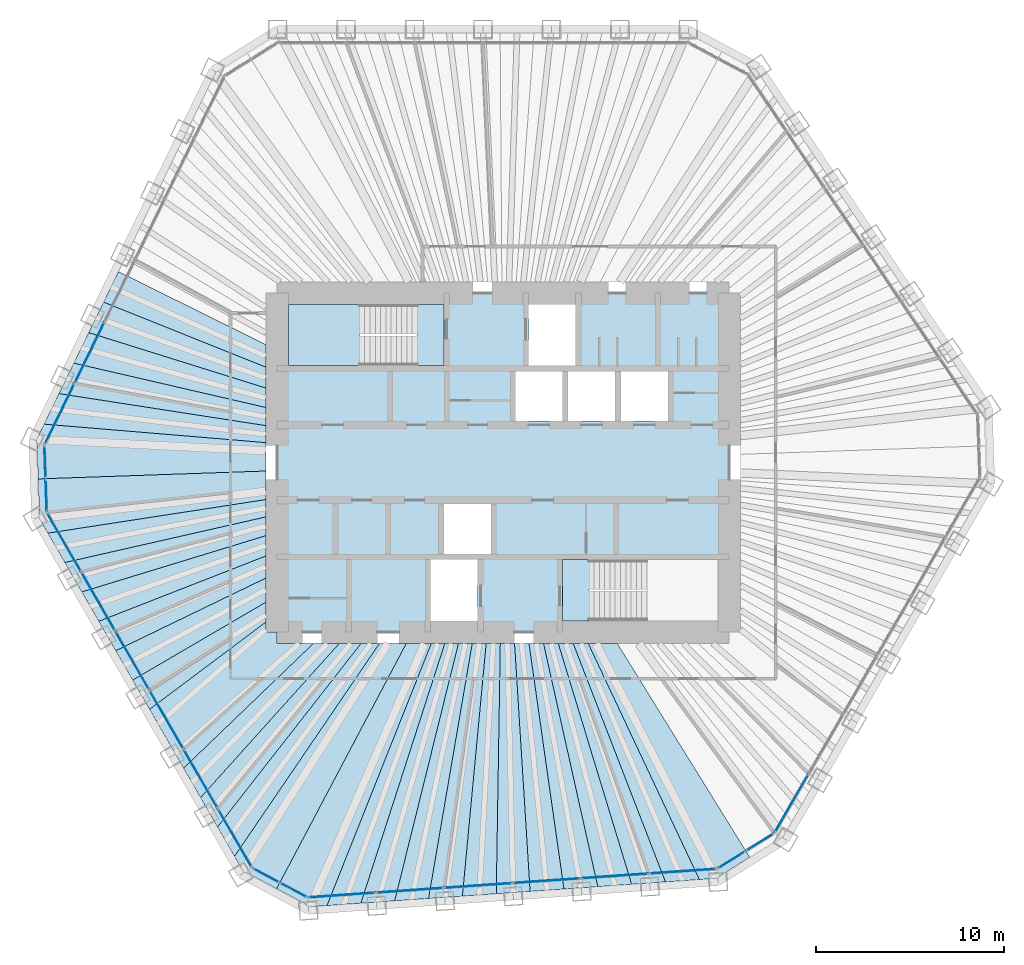
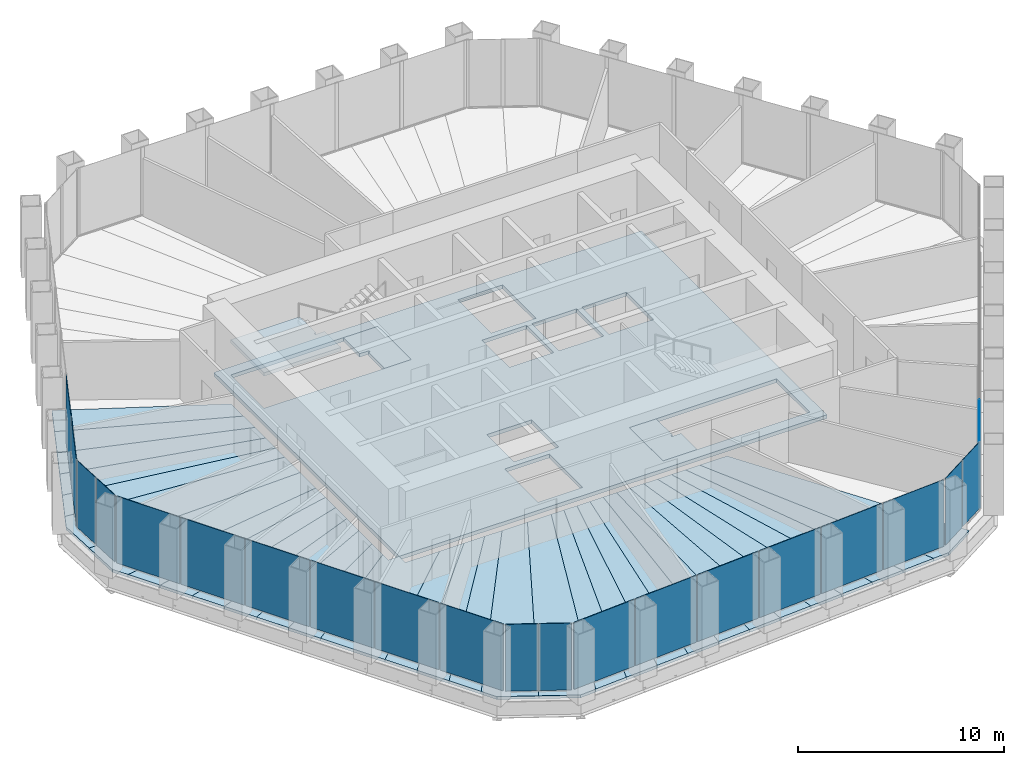
# One storey, part 8 of 14: 35 slabs, 21 plates, 9 elements without a shape of their own.
"""IFC4 building model written with IfcOpenShell, lengths in metres."""

from ifc_helpers import new_model, si_unit, direction, frame, origin, origin_2d, place, context, subcontext, project, spatial, polyline, rectangle, outline, extrude, material, layer, layer_set, type_object, element, aggregate, save


model = new_model("IFC4")

# Units and contexts
model_context = context("Model", 3, precision=1e-05, world=origin(), true_north=direction((0.0, 1.0)))
body_context = subcontext(model_context, "Body", "Model", "MODEL_VIEW")
ifc_project = project(units=[si_unit("LENGTHUNIT", "METRE"), si_unit("AREAUNIT", "SQUARE_METRE"), si_unit("VOLUMEUNIT", "CUBIC_METRE"), si_unit("PLANEANGLEUNIT", "RADIAN"), si_unit("MASSUNIT", "GRAM", prefix="KILO")], contexts=[model_context])

# Site, building, storey
site_placement = place(None, origin())
site = spatial("IfcSite", under=ifc_project, at=site_placement, CompositionType="ELEMENT")
building_placement = place(site_placement, origin())
building = spatial("IfcBuilding", under=site, at=building_placement, Name="Qingtian Harvest Tower", CompositionType="ELEMENT")
storey_placement = place(building_placement, frame((0.0, 0.0, 235.0)))
storey = spatial("IfcBuildingStorey", under=building, at=storey_placement, Name="L51", CompositionType="ELEMENT", Elevation=235.0)

# Slabs
ifc_material_1 = material(Name="Concrete fc' 35 MPa", Category="concrete")
ifc_layer_1 = layer(ifc_material_1, 0.169921875)
ifc_layer_set_1 = layer_set([ifc_layer_1], Name="Composite floor slab FS17 170")
slab_type_1 = type_object("IfcSlabType", Name="Composite floor slab FS17 170", PredefinedType="FLOOR", material=ifc_layer_set_1)
slab_1_placement = place(storey_placement, frame((0.0, 0.0, -0.169921875)))
element("IfcSlab", 1, at=slab_1_placement, inside=storey, type_object=slab_type_1, Name="Floor slab L51 panel D01", PredefinedType="FLOOR", context=body_context, shape_type="SweptSolid", body=[
    extrude(outline(polyline([(-24.6865234375, -0.862060546875), (-12.60009765625, -0.443115234375), (-12.60009765625, -1.958984375), (-24.17236328125, -3.742431640625), (-24.612548828125, -2.979736328125), (-24.6865234375, -0.862060546875)])), origin(), (0.0, 0.0, 1.0), 0.169921875),
])
slab_2_placement = place(storey_placement, frame((0.0, 0.0, -0.169921875)))
element("IfcSlab", 2, at=slab_2_placement, inside=storey, type_object=slab_type_1, Name="Floor slab L51 panel D02", PredefinedType="FLOOR", context=body_context, shape_type="SweptSolid", body=[
    extrude(outline(polyline([(-12.60009765625, -2.880126953125), (-23.271484375, -5.302490234375), (-24.17236328125, -3.742431640625), (-12.60009765625, -1.958984375), (-12.60009765625, -2.880126953125)])), origin(), (0.0, 0.0, 1.0), 0.169921875),
])
slab_3_placement = place(storey_placement, frame((0.0, 0.0, -0.169921875)))
element("IfcSlab", 3, at=slab_3_placement, inside=storey, type_object=slab_type_1, Name="Floor slab L51 panel D03", PredefinedType="FLOOR", context=body_context, shape_type="SweptSolid", body=[
    extrude(outline(polyline([(-12.60009765625, -3.87548828125), (-22.370849609375, -6.862548828125), (-23.271484375, -5.302490234375), (-12.60009765625, -2.880126953125), (-12.60009765625, -3.87548828125)])), origin(), (0.0, 0.0, 1.0), 0.169921875),
])
slab_4_placement = place(storey_placement, frame((0.0, 0.0, -0.169921875)))
element("IfcSlab", 4, at=slab_4_placement, inside=storey, type_object=slab_type_1, Name="Floor slab L51 panel D04", PredefinedType="FLOOR", context=body_context, shape_type="SweptSolid", body=[
    extrude(outline(polyline([(-12.60009765625, -4.95458984375), (-21.47021484375, -8.422607421875), (-22.370849609375, -6.862548828125), (-12.60009765625, -3.87548828125), (-12.60009765625, -4.95458984375)])), origin(), (0.0, 0.0, 1.0), 0.169921875),
])
slab_5_placement = place(storey_placement, frame((0.0, 0.0, -0.169921875)))
element("IfcSlab", 5, at=slab_5_placement, inside=storey, type_object=slab_type_1, Name="Floor slab L51 panel D05", PredefinedType="FLOOR", context=body_context, shape_type="SweptSolid", body=[
    extrude(outline(polyline([(-12.60009765625, -6.128173828125), (-20.569580078125, -9.982666015625), (-21.47021484375, -8.422607421875), (-12.60009765625, -4.95458984375), (-12.60009765625, -6.128173828125)])), origin(), (0.0, 0.0, 1.0), 0.169921875),
])
slab_6_placement = place(storey_placement, frame((0.0, 0.0, -0.169921875)))
element("IfcSlab", 6, at=slab_6_placement, inside=storey, type_object=slab_type_1, Name="Floor slab L51 panel D06", PredefinedType="FLOOR", context=body_context, shape_type="SweptSolid", body=[
    extrude(outline(polyline([(-12.60009765625, -7.409423828125), (-19.668701171875, -11.542724609375), (-20.569580078125, -9.982666015625), (-12.60009765625, -6.128173828125), (-12.60009765625, -7.409423828125)])), origin(), (0.0, 0.0, 1.0), 0.169921875),
])
slab_7_placement = place(storey_placement, frame((0.0, 0.0, -0.169921875)))
element("IfcSlab", 7, at=slab_7_placement, inside=storey, type_object=slab_type_1, Name="Floor slab L51 panel D07", PredefinedType="FLOOR", context=body_context, shape_type="SweptSolid", body=[
    extrude(outline(polyline([(-12.60009765625, -8.46435546875), (-18.771728515625, -13.0966796875), (-19.668701171875, -11.542724609375), (-12.60009765625, -7.409423828125), (-12.60009765625, -8.46435546875)])), origin(), (0.0, 0.0, 1.0), 0.169921875),
])
slab_8_placement = place(storey_placement, frame((0.0, 0.0, -0.169921875)))
element("IfcSlab", 8, at=slab_8_placement, inside=storey, type_object=slab_type_1, Name="Floor slab L51 panel D09", PredefinedType="FLOOR", context=body_context, shape_type="SweptSolid", body=[
    extrude(outline(polyline([(-16.967041015625, -16.22216796875), (-18.771728515625, -13.0966796875), (-12.60009765625, -8.46435546875), (-12.60009765625, -9.0), (-12.0, -9.0), (-12.0, -9.60009765625), (-10.07666015625, -9.60009765625), (-16.967041015625, -16.22216796875)])), origin(), (0.0, 0.0, 1.0), 0.169921875),
])
slab_9_placement = place(storey_placement, frame((0.0, 0.0, -0.169921875)))
element("IfcSlab", 9, at=slab_9_placement, inside=storey, type_object=slab_type_1, Name="Floor slab L51 panel D10", PredefinedType="FLOOR", context=body_context, shape_type="SweptSolid", body=[
    extrude(outline(polyline([(-8.700927734375, -9.60009765625), (-16.06640625, -17.7822265625), (-16.967041015625, -16.22216796875), (-10.07666015625, -9.60009765625), (-8.700927734375, -9.60009765625)])), origin(), (0.0, 0.0, 1.0), 0.169921875),
])
slab_10_placement = place(storey_placement, frame((0.0, 0.0, -0.169921875)))
element("IfcSlab", 10, at=slab_10_placement, inside=storey, type_object=slab_type_1, Name="Floor slab L51 panel D11", PredefinedType="FLOOR", context=body_context, shape_type="SweptSolid", body=[
    extrude(outline(polyline([(-7.548095703125, -9.60009765625), (-15.16552734375, -19.34228515625), (-16.06640625, -17.7822265625), (-8.700927734375, -9.60009765625), (-7.548095703125, -9.60009765625)])), origin(), (0.0, 0.0, 1.0), 0.169921875),
])
slab_11_placement = place(storey_placement, frame((0.0, 0.0, -0.169921875)))
element("IfcSlab", 11, at=slab_11_placement, inside=storey, type_object=slab_type_1, Name="Floor slab L51 panel D12", PredefinedType="FLOOR", context=body_context, shape_type="SweptSolid", body=[
    extrude(outline(polyline([(-6.568359375, -9.60009765625), (-14.264892578125, -20.90234375), (-15.16552734375, -19.34228515625), (-7.548095703125, -9.60009765625), (-6.568359375, -9.60009765625)])), origin(), (0.0, 0.0, 1.0), 0.169921875),
])
slab_12_placement = place(storey_placement, frame((0.0, 0.0, -0.169921875)))
element("IfcSlab", 12, at=slab_12_placement, inside=storey, type_object=slab_type_1, Name="Floor slab L51 panel D13", PredefinedType="FLOOR", context=body_context, shape_type="SweptSolid", body=[
    extrude(outline(polyline([(-6.568359375, -9.60009765625), (-5.14501953125, -9.60009765625), (-12.028076171875, -22.620361328125), (-13.82470703125, -21.6650390625), (-14.264892578125, -20.90234375), (-6.568359375, -9.60009765625)])), origin(), (0.0, 0.0, 1.0), 0.169921875),
])
slab_13_placement = place(storey_placement, frame((0.0, 0.0, -0.169921875)))
element("IfcSlab", 13, at=slab_13_placement, inside=storey, type_object=slab_type_1, Name="Floor slab L51 panel D14", PredefinedType="FLOOR", context=body_context, shape_type="SweptSolid", body=[
    extrude(outline(polyline([(-5.14501953125, -9.60009765625), (-3.817138671875, -9.60009765625), (-9.352294921875, -23.5146484375), (-10.23046875, -23.576171875), (-12.028076171875, -22.620361328125), (-5.14501953125, -9.60009765625)])), origin(), (0.0, 0.0, 1.0), 0.169921875),
])
slab_14_placement = place(storey_placement, frame((0.0, 0.0, -0.169921875)))
element("IfcSlab", 14, at=slab_14_placement, inside=storey, type_object=slab_type_1, Name="Floor slab L51 panel D15", PredefinedType="FLOOR", context=body_context, shape_type="SweptSolid", body=[
    extrude(outline(polyline([(-3.10009765625, -9.60009765625), (-7.55517578125, -23.388916015625), (-9.352294921875, -23.5146484375), (-3.817138671875, -9.60009765625), (-3.10009765625, -9.60009765625)])), origin(), (0.0, 0.0, 1.0), 0.169921875),
])
slab_15_placement = place(storey_placement, frame((0.0, 0.0, -0.169921875)))
element("IfcSlab", 15, at=slab_15_placement, inside=storey, type_object=slab_type_1, Name="Floor slab L51 panel D16", PredefinedType="FLOOR", context=body_context, shape_type="SweptSolid", body=[
    extrude(outline(polyline([(-2.375244140625, -9.60009765625), (-5.75830078125, -23.263427734375), (-7.55517578125, -23.388916015625), (-3.10009765625, -9.60009765625), (-2.375244140625, -9.60009765625)])), origin(), (0.0, 0.0, 1.0), 0.169921875),
])
slab_16_placement = place(storey_placement, frame((0.0, 0.0, -0.169921875)))
element("IfcSlab", 16, at=slab_16_placement, inside=storey, type_object=slab_type_1, Name="Floor slab L51 panel D17", PredefinedType="FLOOR", context=body_context, shape_type="SweptSolid", body=[
    extrude(outline(polyline([(-1.642578125, -9.60009765625), (-3.96142578125, -23.1376953125), (-5.75830078125, -23.263427734375), (-2.375244140625, -9.60009765625), (-1.642578125, -9.60009765625)])), origin(), (0.0, 0.0, 1.0), 0.169921875),
])
slab_17_placement = place(storey_placement, frame((0.0, 0.0, -0.169921875)))
element("IfcSlab", 17, at=slab_17_placement, inside=storey, type_object=slab_type_1, Name="Floor slab L51 panel D18", PredefinedType="FLOOR", context=body_context, shape_type="SweptSolid", body=[
    extrude(outline(polyline([(-0.90185546875, -9.60009765625), (-2.164306640625, -23.011962890625), (-3.96142578125, -23.1376953125), (-1.642578125, -9.60009765625), (-0.90185546875, -9.60009765625)])), origin(), (0.0, 0.0, 1.0), 0.169921875),
])
slab_18_placement = place(storey_placement, frame((0.0, 0.0, -0.169921875)))
element("IfcSlab", 18, at=slab_18_placement, inside=storey, type_object=slab_type_1, Name="Floor slab L51 panel D19", PredefinedType="FLOOR", context=body_context, shape_type="SweptSolid", body=[
    extrude(outline(polyline([(-0.153076171875, -9.60009765625), (-0.367431640625, -22.886474609375), (-2.164306640625, -23.011962890625), (-0.90185546875, -9.60009765625), (-0.153076171875, -9.60009765625)])), origin(), (0.0, 0.0, 1.0), 0.169921875),
])
slab_19_placement = place(storey_placement, frame((0.0, 0.0, -0.169921875)))
element("IfcSlab", 19, at=slab_19_placement, inside=storey, type_object=slab_type_1, Name="Floor slab L51 panel D20", PredefinedType="FLOOR", context=body_context, shape_type="SweptSolid", body=[
    extrude(outline(polyline([(0.60400390625, -9.60009765625), (1.4296875, -22.7607421875), (-0.367431640625, -22.886474609375), (-0.153076171875, -9.60009765625), (0.60400390625, -9.60009765625)])), origin(), (0.0, 0.0, 1.0), 0.169921875),
])
slab_20_placement = place(storey_placement, frame((0.0, 0.0, -0.169921875)))
element("IfcSlab", 20, at=slab_20_placement, inside=storey, type_object=slab_type_1, Name="Floor slab L51 panel D21", PredefinedType="FLOOR", context=body_context, shape_type="SweptSolid", body=[
    extrude(outline(polyline([(1.36962890625, -9.60009765625), (3.2265625, -22.635009765625), (1.4296875, -22.7607421875), (0.60400390625, -9.60009765625), (1.36962890625, -9.60009765625)])), origin(), (0.0, 0.0, 1.0), 0.169921875),
])
slab_21_placement = place(storey_placement, frame((0.0, 0.0, -0.169921875)))
element("IfcSlab", 21, at=slab_21_placement, inside=storey, type_object=slab_type_1, Name="Floor slab L51 panel D22", PredefinedType="FLOOR", context=body_context, shape_type="SweptSolid", body=[
    extrude(outline(polyline([(2.1435546875, -9.60009765625), (5.023681640625, -22.509521484375), (3.2265625, -22.635009765625), (1.36962890625, -9.60009765625), (2.1435546875, -9.60009765625)])), origin(), (0.0, 0.0, 1.0), 0.169921875),
])
slab_22_placement = place(storey_placement, frame((0.0, 0.0, -0.169921875)))
element("IfcSlab", 22, at=slab_22_placement, inside=storey, type_object=slab_type_1, Name="Floor slab L51 panel D23", PredefinedType="FLOOR", context=body_context, shape_type="SweptSolid", body=[
    extrude(outline(polyline([(2.92626953125, -9.60009765625), (6.820556640625, -22.3837890625), (5.023681640625, -22.509521484375), (2.1435546875, -9.60009765625), (2.92626953125, -9.60009765625)])), origin(), (0.0, 0.0, 1.0), 0.169921875),
])
slab_23_placement = place(storey_placement, frame((0.0, 0.0, -0.169921875)))
element("IfcSlab", 23, at=slab_23_placement, inside=storey, type_object=slab_type_1, Name="Floor slab L51 panel D24", PredefinedType="FLOOR", context=body_context, shape_type="SweptSolid", body=[
    extrude(outline(polyline([(3.718017578125, -9.60009765625), (8.61767578125, -22.258056640625), (6.820556640625, -22.3837890625), (2.92626953125, -9.60009765625), (3.718017578125, -9.60009765625)])), origin(), (0.0, 0.0, 1.0), 0.169921875),
])
slab_24_placement = place(storey_placement, frame((0.0, 0.0, -0.169921875)))
element("IfcSlab", 24, at=slab_24_placement, inside=storey, type_object=slab_type_1, Name="Floor slab L51 panel D25", PredefinedType="FLOOR", context=body_context, shape_type="SweptSolid", body=[
    extrude(outline(polyline([(4.5185546875, -9.60009765625), (10.41455078125, -22.13232421875), (8.61767578125, -22.258056640625), (3.718017578125, -9.60009765625), (4.5185546875, -9.60009765625)])), origin(), (0.0, 0.0, 1.0), 0.169921875),
])
slab_25_placement = place(storey_placement, frame((0.0, 0.0, -0.169921875)))
element("IfcSlab", 25, at=slab_25_placement, inside=storey, type_object=slab_type_1, Name="Floor slab L51 panel D26", PredefinedType="FLOOR", context=body_context, shape_type="SweptSolid", body=[
    extrude(outline(polyline([(4.5185546875, -9.60009765625), (6.059326171875, -9.60009765625), (13.090576171875, -20.94775390625), (11.292724609375, -22.071044921875), (10.41455078125, -22.13232421875), (4.5185546875, -9.60009765625)])), origin(), (0.0, 0.0, 1.0), 0.169921875),
])
slab_26_placement = place(storey_placement, frame((0.0, 0.0, -0.169921875)))
element("IfcSlab", 26, at=slab_26_placement, inside=storey, type_object=slab_type_1, Name="Floor slab L51 panel D73", PredefinedType="FLOOR", context=body_context, shape_type="SweptSolid", body=[
    extrude(outline(polyline([(-12.60009765625, 5.072509765625), (-21.2158203125, 8.5234375), (-20.426025390625, 10.142578125), (-12.60009765625, 6.268310546875), (-12.60009765625, 5.072509765625)])), origin(), (0.0, 0.0, 1.0), 0.169921875),
])
slab_27_placement = place(storey_placement, frame((0.0, 0.0, -0.169921875)))
element("IfcSlab", 27, at=slab_27_placement, inside=storey, type_object=slab_type_1, Name="Floor slab L51 panel D74", PredefinedType="FLOOR", context=body_context, shape_type="SweptSolid", body=[
    extrude(outline(polyline([(-12.60009765625, 3.962890625), (-22.00537109375, 6.904296875), (-21.2158203125, 8.5234375), (-12.60009765625, 5.072509765625), (-12.60009765625, 3.962890625)])), origin(), (0.0, 0.0, 1.0), 0.169921875),
])
slab_28_placement = place(storey_placement, frame((0.0, 0.0, -0.169921875)))
element("IfcSlab", 28, at=slab_28_placement, inside=storey, type_object=slab_type_1, Name="Floor slab L51 panel D75", PredefinedType="FLOOR", context=body_context, shape_type="SweptSolid", body=[
    extrude(outline(polyline([(-12.60009765625, 2.929931640625), (-22.795166015625, 5.28515625), (-22.00537109375, 6.904296875), (-12.60009765625, 3.962890625), (-12.60009765625, 2.929931640625)])), origin(), (0.0, 0.0, 1.0), 0.169921875),
])
slab_29_placement = place(storey_placement, frame((0.0, 0.0, -0.169921875)))
element("IfcSlab", 29, at=slab_29_placement, inside=storey, type_object=slab_type_1, Name="Floor slab L51 panel D76", PredefinedType="FLOOR", context=body_context, shape_type="SweptSolid", body=[
    extrude(outline(polyline([(-12.60009765625, 1.96630859375), (-23.584716796875, 3.666259765625), (-22.795166015625, 5.28515625), (-12.60009765625, 2.929931640625), (-12.60009765625, 1.96630859375)])), origin(), (0.0, 0.0, 1.0), 0.169921875),
])
slab_30_placement = place(storey_placement, frame((0.0, 0.0, -0.169921875)))
element("IfcSlab", 30, at=slab_30_placement, inside=storey, type_object=slab_type_1, Name="Floor slab L51 panel D77", PredefinedType="FLOOR", context=body_context, shape_type="SweptSolid", body=[
    extrude(outline(polyline([(-12.60009765625, 1.065185546875), (-24.37451171875, 2.047119140625), (-23.584716796875, 3.666259765625), (-12.60009765625, 1.96630859375), (-12.60009765625, 1.065185546875)])), origin(), (0.0, 0.0, 1.0), 0.169921875),
])
slab_31_placement = place(storey_placement, frame((0.0, 0.0, -0.169921875)))
element("IfcSlab", 31, at=slab_31_placement, inside=storey, type_object=slab_type_1, Name="Floor slab L51 panel D78", PredefinedType="FLOOR", context=body_context, shape_type="SweptSolid", body=[
    extrude(outline(polyline([(-12.60009765625, 1.065185546875), (-12.60009765625, -0.443115234375), (-24.6865234375, -0.862060546875), (-24.760498046875, 1.255615234375), (-24.37451171875, 2.047119140625), (-12.60009765625, 1.065185546875)])), origin(), (0.0, 0.0, 1.0), 0.169921875),
])
ifc_material_2 = material(Name="Concrete fc' 35 MPa", Category="concrete")
ifc_layer_2 = layer(ifc_material_2, 0.219970703125)
ifc_layer_set_2 = layer_set([ifc_layer_2], Name="Core floor slab CS22 220")
slab_type_2 = type_object("IfcSlabType", Name="Core floor slab CS22 220", PredefinedType="FLOOR", material=ifc_layer_set_2)
slab_32_placement = place(storey_placement, frame((0.0, 0.0, -0.219970703125)))
element("IfcSlab", 32, at=slab_32_placement, inside=storey, type_object=slab_type_2, Name="Core floor slab L51", PredefinedType="FLOOR", context=body_context, shape_type="SweptSolid", body=[
    extrude(outline(polyline([(-12.0, -9.0), (12.0, -9.0), (12.0, 9.0), (-12.0, 9.0), (-12.0, -9.0)]), holes=[polyline([(-11.39990234375, 5.14990234375), (-3.14990234375, 5.14990234375), (-3.14990234375, 8.39990234375), (-11.39990234375, 8.39990234375), (-11.39990234375, 5.14990234375)]), polyline([(3.14990234375, -8.39990234375), (11.39990234375, -8.39990234375), (11.39990234375, -5.14990234375), (3.14990234375, -5.14990234375), (3.14990234375, -8.39990234375)]), polyline([(1.35009765625, 5.14990234375), (3.85009765625, 5.14990234375), (3.85009765625, 8.39990234375), (1.35009765625, 8.39990234375), (1.35009765625, 5.14990234375)]), polyline([(-3.85009765625, -8.39990234375), (-1.35009765625, -8.39990234375), (-1.35009765625, -5.14990234375), (-3.85009765625, -5.14990234375), (-3.85009765625, -8.39990234375)]), polyline([(0.64990234375, 2.199951171875), (3.14990234375, 2.199951171875), (3.14990234375, 4.85009765625), (0.64990234375, 4.85009765625), (0.64990234375, 2.199951171875)]), polyline([(3.449951171875, 2.199951171875), (5.949951171875, 2.199951171875), (5.949951171875, 4.85009765625), (3.449951171875, 4.85009765625), (3.449951171875, 2.199951171875)]), polyline([(6.25, 2.199951171875), (8.75, 2.199951171875), (8.75, 4.85009765625), (6.25, 4.85009765625), (6.25, 2.199951171875)]), polyline([(-3.14990234375, -4.85009765625), (-0.64990234375, -4.85009765625), (-0.64990234375, -2.199951171875), (-3.14990234375, -2.199951171875), (-3.14990234375, -4.85009765625)])]), origin(), (0.0, 0.0, 1.0), 0.219970703125),
])

# Curtain wall, plate
ifc_material_3 = material(Name="Bronze-anodised aluminium curtain wall", Category="aluminium")
curtain_wall_type = type_object("IfcCurtainWallType", Name="Curtain wall CW4 office", PredefinedType="USERDEFINED", material=ifc_material_3)
curtain_wall_1_placement = place(storey_placement, origin())
curtain_wall_1 = element("IfcCurtainWall", 33, at=curtain_wall_1_placement, inside=storey, type_object=curtain_wall_type, Name="Curtain wall CW4 L51 SE0-5", ObjectType="RECESSED CURTAIN WALL", PredefinedType="USERDEFINED")
ifc_material_4 = material(Name="Bronze-tinted laminated insulating glass", Category="glass")
ifc_layer_3 = layer(ifc_material_4, 0.030029296875)
ifc_layer_set_3 = layer_set([ifc_layer_3], Name="Glazed panel CWP tinted IGU")
plate_type = type_object("IfcPlateType", Name="Glazed panel CWP tinted IGU", PredefinedType="CURTAIN_PANEL", material=ifc_layer_set_3)
plate_1_placement = place(storey_placement, frame((15.314208984375, -18.074951171875, 0.06494140625), z_axis=(0.0, 0.0, 1.0), x_axis=(-0.5, -0.866025403784, 0.0)))
plate_1 = element("IfcPlate", 34, at=plate_1_placement, type_object=plate_type, Name="CW4 panel 6.1", PredefinedType="CURTAIN_PANEL", context=body_context, shape_type="SweptSolid", body=[
    extrude(rectangle(XDim=3.5361328125, YDim=0.030029296875, at=origin_2d()), origin(), (0.0, 0.0, 1.0), 3.965087890625),
])
aggregate(curtain_wall_1, [plate_1])

# Curtain wall, plates
curtain_wall_2_placement = place(storey_placement, origin())
curtain_wall_2 = element("IfcCurtainWall", 35, at=curtain_wall_2_placement, inside=storey, type_object=curtain_wall_type, Name="Curtain wall CW4 L51 SEC", ObjectType="RECESSED CURTAIN WALL", PredefinedType="USERDEFINED")
plate_2_placement = place(storey_placement, frame((13.624755859375, -20.1455078125, 0.06494140625), z_axis=(0.0, 0.0, 1.0), x_axis=(-0.848048096156, -0.529919264233, 0.0)))
plate_2 = element("IfcPlate", 36, at=plate_2_placement, type_object=plate_type, Name="CW4 panel 1.1", PredefinedType="CURTAIN_PANEL", context=body_context, shape_type="SweptSolid", body=[
    extrude(rectangle(XDim=1.69287109375, YDim=0.030029296875, at=origin_2d()), origin(), (0.0, 0.0, 1.0), 3.965087890625),
])
plate_3_placement = place(storey_placement, frame((12.134033203125, -21.076904296875, 0.06494140625), z_axis=(0.0, 0.0, 1.0), x_axis=(-0.848048096156, -0.529919264233, 0.0)))
plate_3 = element("IfcPlate", 37, at=plate_3_placement, type_object=plate_type, Name="CW4 panel 2.1", PredefinedType="CURTAIN_PANEL", context=body_context, shape_type="SweptSolid", body=[
    extrude(rectangle(XDim=1.69287109375, YDim=0.030029296875, at=origin_2d()), origin(), (0.0, 0.0, 1.0), 3.965087890625),
])
aggregate(curtain_wall_2, [plate_2, plate_3])

curtain_wall_3_placement = place(storey_placement, origin())
curtain_wall_3 = element("IfcCurtainWall", 38, at=curtain_wall_3_placement, inside=storey, type_object=curtain_wall_type, Name="Curtain wall CW4 L51 S0-5", ObjectType="RECESSED CURTAIN WALL", PredefinedType="USERDEFINED")
plate_4_placement = place(storey_placement, frame((9.532470703125, -21.68798828125, 0.06494140625), z_axis=(0.0, 0.0, 1.0), x_axis=(-0.99756405026, -0.069756473744, 0.0)))
plate_4 = element("IfcPlate", 39, at=plate_4_placement, type_object=plate_type, Name="CW4 panel 1.1", PredefinedType="CURTAIN_PANEL", context=body_context, shape_type="SweptSolid", body=[
    extrude(rectangle(XDim=3.5361328125, YDim=0.030029296875, at=origin_2d()), origin(), (0.0, 0.0, 1.0), 3.965087890625),
])
plate_5_placement = place(storey_placement, frame((5.923828125, -21.940185546875, 0.06494140625), z_axis=(0.0, 0.0, 1.0), x_axis=(-0.99756405026, -0.069756473744, 0.0)))
plate_5 = element("IfcPlate", 40, at=plate_5_placement, type_object=plate_type, Name="CW4 panel 2.1", PredefinedType="CURTAIN_PANEL", context=body_context, shape_type="SweptSolid", body=[
    extrude(rectangle(XDim=3.568603515625, YDim=0.030029296875, at=origin_2d()), origin(), (0.0, 0.0, 1.0), 3.965087890625),
])
plate_6_placement = place(storey_placement, frame((2.299072265625, -22.193603515625, 0.06494140625), z_axis=(0.0, 0.0, 1.0), x_axis=(-0.99756405026, -0.069756473744, 0.0)))
plate_6 = element("IfcPlate", 41, at=plate_6_placement, type_object=plate_type, Name="CW4 panel 3.1", PredefinedType="CURTAIN_PANEL", context=body_context, shape_type="SweptSolid", body=[
    extrude(rectangle(XDim=3.568603515625, YDim=0.030029296875, at=origin_2d()), origin(), (0.0, 0.0, 1.0), 3.965087890625),
])
plate_7_placement = place(storey_placement, frame((-1.325439453125, -22.447021484375, 0.06494140625), z_axis=(0.0, 0.0, 1.0), x_axis=(-0.99756405026, -0.069756473744, 0.0)))
plate_7 = element("IfcPlate", 42, at=plate_7_placement, type_object=plate_type, Name="CW4 panel 4.1", PredefinedType="CURTAIN_PANEL", context=body_context, shape_type="SweptSolid", body=[
    extrude(rectangle(XDim=3.568603515625, YDim=0.030029296875, at=origin_2d()), origin(), (0.0, 0.0, 1.0), 3.965087890625),
])
plate_8_placement = place(storey_placement, frame((-4.9501953125, -22.70068359375, 0.06494140625), z_axis=(0.0, 0.0, 1.0), x_axis=(-0.99756405026, -0.069756473744, 0.0)))
plate_8 = element("IfcPlate", 43, at=plate_8_placement, type_object=plate_type, Name="CW4 panel 5.1", PredefinedType="CURTAIN_PANEL", context=body_context, shape_type="SweptSolid", body=[
    extrude(rectangle(XDim=3.568603515625, YDim=0.030029296875, at=origin_2d()), origin(), (0.0, 0.0, 1.0), 3.965087890625),
])
plate_9_placement = place(storey_placement, frame((-8.55859375, -22.952880859375, 0.06494140625), z_axis=(0.0, 0.0, 1.0), x_axis=(-0.99756405026, -0.069756473744, 0.0)))
plate_9 = element("IfcPlate", 44, at=plate_9_placement, type_object=plate_type, Name="CW4 panel 6.1", PredefinedType="CURTAIN_PANEL", context=body_context, shape_type="SweptSolid", body=[
    extrude(rectangle(XDim=3.5361328125, YDim=0.030029296875, at=origin_2d()), origin(), (0.0, 0.0, 1.0), 3.965087890625),
])
aggregate(curtain_wall_3, [plate_4, plate_5, plate_6, plate_7, plate_8, plate_9])

curtain_wall_4_placement = place(storey_placement, origin())
curtain_wall_4 = element("IfcCurtainWall", 45, at=curtain_wall_4_placement, inside=storey, type_object=curtain_wall_type, Name="Curtain wall CW4 L51 SC", ObjectType="RECESSED CURTAIN WALL", PredefinedType="USERDEFINED")
plate_10_placement = place(storey_placement, frame((-11.136474609375, -22.682373046875, 0.06494140625), z_axis=(0.0, 0.0, 1.0), x_axis=(-0.882947592859, 0.469471562786, 0.0)))
plate_10 = element("IfcPlate", 46, at=plate_10_placement, type_object=plate_type, Name="CW4 panel 1.1", PredefinedType="CURTAIN_PANEL", context=body_context, shape_type="SweptSolid", body=[
    extrude(rectangle(XDim=1.56689453125, YDim=0.030029296875, at=origin_2d()), origin(), (0.0, 0.0, 1.0), 3.965087890625),
])
plate_11_placement = place(storey_placement, frame((-12.5771484375, -21.916259765625, 0.06494140625), z_axis=(0.0, 0.0, 1.0), x_axis=(-0.882947592859, 0.469471562786, 0.0)))
plate_11 = element("IfcPlate", 47, at=plate_11_placement, type_object=plate_type, Name="CW4 panel 2.1", PredefinedType="CURTAIN_PANEL", context=body_context, shape_type="SweptSolid", body=[
    extrude(rectangle(XDim=1.56689453125, YDim=0.030029296875, at=origin_2d()), origin(), (0.0, 0.0, 1.0), 3.965087890625),
])
aggregate(curtain_wall_4, [plate_10, plate_11])

curtain_wall_5_placement = place(storey_placement, origin())
curtain_wall_5 = element("IfcCurtainWall", 48, at=curtain_wall_5_placement, inside=storey, type_object=curtain_wall_type, Name="Curtain wall CW4 L51 SW0-5", ObjectType="RECESSED CURTAIN WALL", PredefinedType="USERDEFINED")
plate_12_placement = place(storey_placement, frame((-14.242919921875, -19.9306640625, 0.06494140625), z_axis=(0.0, 0.0, 1.0), x_axis=(-0.5, 0.866025403784, 0.0)))
plate_12 = element("IfcPlate", 49, at=plate_12_placement, type_object=plate_type, Name="CW4 panel 1.1", PredefinedType="CURTAIN_PANEL", context=body_context, shape_type="SweptSolid", body=[
    extrude(rectangle(XDim=3.5361328125, YDim=0.030029296875, at=origin_2d()), origin(), (0.0, 0.0, 1.0), 3.965087890625),
])
plate_13_placement = place(storey_placement, frame((-16.051513671875, -16.7978515625, 0.06494140625), z_axis=(0.0, 0.0, 1.0), x_axis=(-0.5, 0.866025403784, 0.0)))
plate_13 = element("IfcPlate", 50, at=plate_13_placement, type_object=plate_type, Name="CW4 panel 2.1", PredefinedType="CURTAIN_PANEL", context=body_context, shape_type="SweptSolid", body=[
    extrude(rectangle(XDim=3.568603515625, YDim=0.030029296875, at=origin_2d()), origin(), (0.0, 0.0, 1.0), 3.965087890625),
])
plate_14_placement = place(storey_placement, frame((-17.868408203125, -13.651123046875, 0.06494140625), z_axis=(0.0, 0.0, 1.0), x_axis=(-0.5, 0.866025403784, 0.0)))
plate_14 = element("IfcPlate", 51, at=plate_14_placement, type_object=plate_type, Name="CW4 panel 3.1", PredefinedType="CURTAIN_PANEL", context=body_context, shape_type="SweptSolid", body=[
    extrude(rectangle(XDim=3.568603515625, YDim=0.030029296875, at=origin_2d()), origin(), (0.0, 0.0, 1.0), 3.965087890625),
])
plate_15_placement = place(storey_placement, frame((-19.68505859375, -10.50439453125, 0.06494140625), z_axis=(0.0, 0.0, 1.0), x_axis=(-0.5, 0.866025403784, 0.0)))
plate_15 = element("IfcPlate", 52, at=plate_15_placement, type_object=plate_type, Name="CW4 panel 4.1", PredefinedType="CURTAIN_PANEL", context=body_context, shape_type="SweptSolid", body=[
    extrude(rectangle(XDim=3.568603515625, YDim=0.030029296875, at=origin_2d()), origin(), (0.0, 0.0, 1.0), 3.965087890625),
])
plate_16_placement = place(storey_placement, frame((-21.501953125, -7.357666015625, 0.06494140625), z_axis=(0.0, 0.0, 1.0), x_axis=(-0.5, 0.866025403784, 0.0)))
plate_16 = element("IfcPlate", 53, at=plate_16_placement, type_object=plate_type, Name="CW4 panel 5.1", PredefinedType="CURTAIN_PANEL", context=body_context, shape_type="SweptSolid", body=[
    extrude(rectangle(XDim=3.568603515625, YDim=0.030029296875, at=origin_2d()), origin(), (0.0, 0.0, 1.0), 3.965087890625),
])
plate_17_placement = place(storey_placement, frame((-23.310546875, -4.22509765625, 0.06494140625), z_axis=(0.0, 0.0, 1.0), x_axis=(-0.5, 0.866025403784, 0.0)))
plate_17 = element("IfcPlate", 54, at=plate_17_placement, type_object=plate_type, Name="CW4 panel 6.1", PredefinedType="CURTAIN_PANEL", context=body_context, shape_type="SweptSolid", body=[
    extrude(rectangle(XDim=3.5361328125, YDim=0.030029296875, at=origin_2d()), origin(), (0.0, 0.0, 1.0), 3.965087890625),
])
aggregate(curtain_wall_5, [plate_12, plate_13, plate_14, plate_15, plate_16, plate_17])

curtain_wall_6_placement = place(storey_placement, origin())
curtain_wall_6 = element("IfcCurtainWall", 55, at=curtain_wall_6_placement, inside=storey, type_object=curtain_wall_type, Name="Curtain wall CW4 L51 SWC", ObjectType="RECESSED CURTAIN WALL", PredefinedType="USERDEFINED")
plate_18_placement = place(storey_placement, frame((-24.2587890625, -1.7265625, 0.06494140625), z_axis=(0.0, 0.0, 1.0), x_axis=(-0.034899496703, 0.999390827019, 0.0)))
plate_18 = element("IfcPlate", 56, at=plate_18_placement, type_object=plate_type, Name="CW4 panel 1.1", PredefinedType="CURTAIN_PANEL", context=body_context, shape_type="SweptSolid", body=[
    extrude(rectangle(XDim=1.69287109375, YDim=0.030029296875, at=origin_2d()), origin(), (0.0, 0.0, 1.0), 3.965087890625),
])
plate_19_placement = place(storey_placement, frame((-24.320068359375, 0.0302734375, 0.06494140625), z_axis=(0.0, 0.0, 1.0), x_axis=(-0.034899496703, 0.999390827019, 0.0)))
plate_19 = element("IfcPlate", 57, at=plate_19_placement, type_object=plate_type, Name="CW4 panel 2.1", PredefinedType="CURTAIN_PANEL", context=body_context, shape_type="SweptSolid", body=[
    extrude(rectangle(XDim=1.69287109375, YDim=0.030029296875, at=origin_2d()), origin(), (0.0, 0.0, 1.0), 3.965087890625),
])
aggregate(curtain_wall_6, [plate_18, plate_19])

curtain_wall_7_placement = place(storey_placement, origin())
curtain_wall_7 = element("IfcCurtainWall", 58, at=curtain_wall_7_placement, inside=storey, type_object=curtain_wall_type, Name="Curtain wall CW4 L51 NW0-5", ObjectType="RECESSED CURTAIN WALL", PredefinedType="USERDEFINED")
plate_20_placement = place(storey_placement, frame((-23.54833984375, 2.588623046875, 0.06494140625), z_axis=(0.0, 0.0, 1.0), x_axis=(0.438371146789, 0.898794046299, 0.0)))
plate_20 = element("IfcPlate", 59, at=plate_20_placement, type_object=plate_type, Name="CW4 panel 1.1", PredefinedType="CURTAIN_PANEL", context=body_context, shape_type="SweptSolid", body=[
    extrude(rectangle(XDim=3.5361328125, YDim=0.030029296875, at=origin_2d()), origin(), (0.0, 0.0, 1.0), 3.965087890625),
])
plate_21_placement = place(storey_placement, frame((-21.962646484375, 5.83984375, 0.06494140625), z_axis=(0.0, 0.0, 1.0), x_axis=(0.438371146789, 0.898794046299, 0.0)))
plate_21 = element("IfcPlate", 60, at=plate_21_placement, type_object=plate_type, Name="CW4 panel 2.1", PredefinedType="CURTAIN_PANEL", context=body_context, shape_type="SweptSolid", body=[
    extrude(rectangle(XDim=3.568603515625, YDim=0.030029296875, at=origin_2d()), origin(), (0.0, 0.0, 1.0), 3.965087890625),
])
aggregate(curtain_wall_7, [plate_20, plate_21])

# Stair, slabs
ifc_material_5 = material(Name="Concrete fc' 35 MPa", Category="concrete")
stair_type = type_object("IfcStairType", Name="Special stair ST4 4200", PredefinedType="HALF_TURN_STAIR", material=ifc_material_5)
stair_1_placement = place(storey_placement, origin())
stair_1 = element("IfcStair", 61, at=stair_1_placement, inside=storey, type_object=stair_type, Name="Special stair S1 L51", PredefinedType="HALF_TURN_STAIR")
ifc_material_6 = material(Name="Concrete fc' 35 MPa", Category="concrete")
ifc_layer_4 = layer(ifc_material_6, 0.199951171875)
ifc_layer_set_4 = layer_set([ifc_layer_4], Name="Stair landing SL2 200")
slab_type_3 = type_object("IfcSlabType", Name="Stair landing SL2 200", PredefinedType="LANDING", material=ifc_layer_set_4)
slab_33_placement = place(storey_placement, frame((0.0, 0.0, -0.199951171875)))
slab_33 = element("IfcSlab", 62, at=slab_33_placement, type_object=slab_type_3, Name="S1 landing 1", PredefinedType="LANDING", context=body_context, shape_type="SweptSolid", body=[
    extrude(outline(polyline([(-4.64990234375, 5.14990234375), (-4.64990234375, 6.72509765625), (-4.550048828125, 6.72509765625), (-4.550048828125, 6.824951171875), (-5.0849609375, 6.824951171875), (-5.0849609375, 8.39990234375), (-3.14990234375, 8.39990234375), (-3.14990234375, 5.14990234375), (-4.64990234375, 5.14990234375)])), origin(), (0.0, 0.0, 1.0), 0.199951171875),
])
slab_34_placement = place(storey_placement, frame((0.0, 0.0, 1.89990234375)))
slab_34 = element("IfcSlab", 63, at=slab_34_placement, type_object=slab_type_3, Name="S1 landing 2", PredefinedType="LANDING", context=body_context, shape_type="SweptSolid", body=[
    extrude(outline(polyline([(-7.094970703125, 5.14990234375), (-11.39990234375, 5.14990234375), (-11.39990234375, 8.39990234375), (-7.530029296875, 8.39990234375), (-7.530029296875, 6.824951171875), (-7.6298828125, 6.824951171875), (-7.6298828125, 6.72509765625), (-7.094970703125, 6.72509765625), (-7.094970703125, 5.14990234375)])), origin(), (0.0, 0.0, 1.0), 0.2001953125),
])
aggregate(stair_1, [slab_33, slab_34])

# Stair, slab
stair_2_placement = place(storey_placement, origin())
stair_2 = element("IfcStair", 64, at=stair_2_placement, inside=storey, type_object=stair_type, Name="Special stair S2 L51", PredefinedType="HALF_TURN_STAIR")
slab_35_placement = place(storey_placement, frame((0.0, 0.0, -0.199951171875)))
slab_35 = element("IfcSlab", 65, at=slab_35_placement, type_object=slab_type_3, Name="S2 landing 1", PredefinedType="LANDING", context=body_context, shape_type="SweptSolid", body=[
    extrude(outline(polyline([(5.0849609375, -8.39990234375), (3.14990234375, -8.39990234375), (3.14990234375, -5.14990234375), (4.64990234375, -5.14990234375), (4.64990234375, -6.72509765625), (4.550048828125, -6.72509765625), (4.550048828125, -6.824951171875), (5.0849609375, -6.824951171875), (5.0849609375, -8.39990234375)])), origin(), (0.0, 0.0, 1.0), 0.199951171875),
])
aggregate(stair_2, [slab_35])

save(model, "model.ifc")
